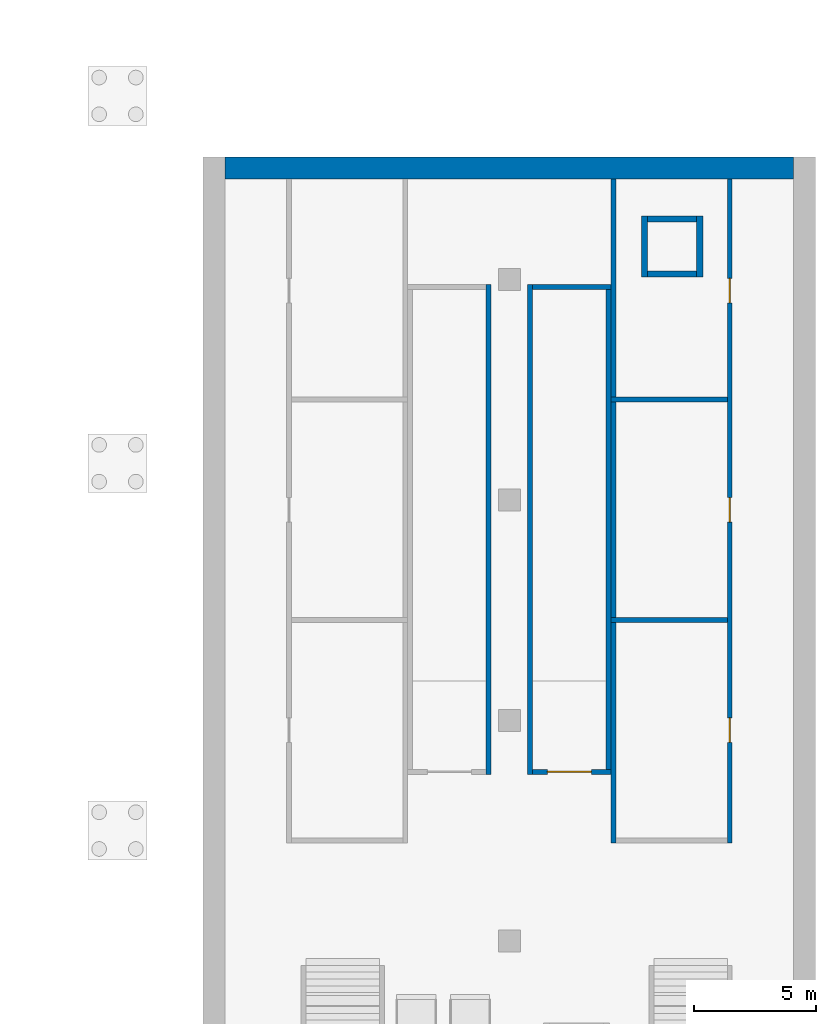
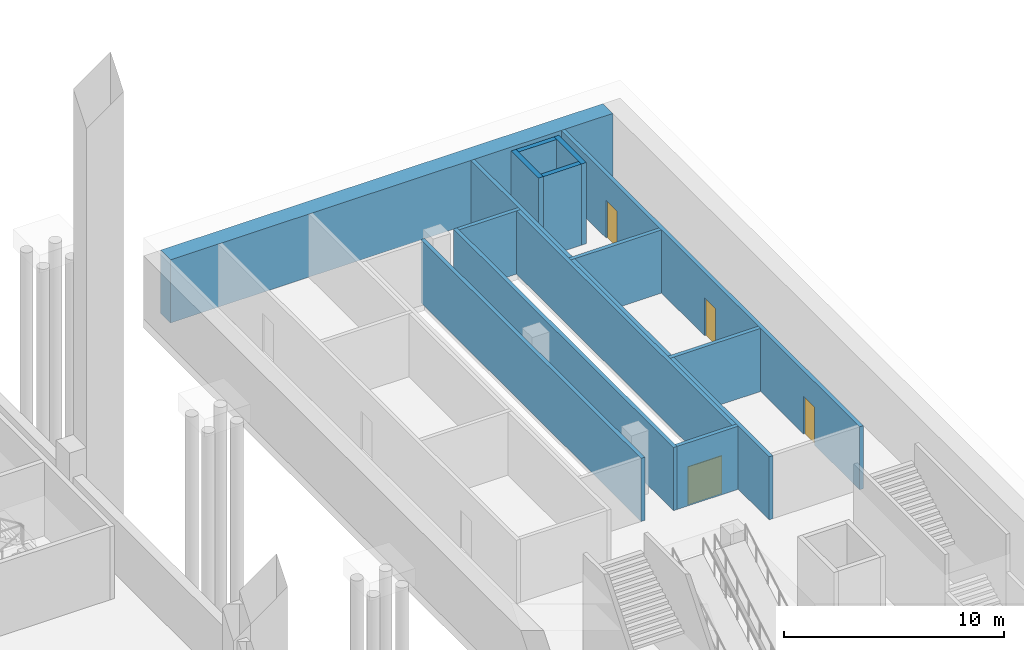
# One storey, part 40 of 115: 14 walls, 4 doors, 4 openings.
"""IFC4 building model written with IfcOpenShell, lengths in metres."""

from ifc_helpers import new_model, si_unit, direction, frame, frame_2d, origin, place, context, subcontext, project, spatial, rectangle, extrude, material, layer, layer_set, type_object, element, fill, save


model = new_model("IFC4")

# Units and contexts
model_context = context("Model", 3, precision=1e-05, world=origin(), true_north=direction((0.0, 1.0)))
body_context = subcontext(model_context, "Body", "Model", "MODEL_VIEW")
ifc_project = project(units=[si_unit("LENGTHUNIT", "METRE"), si_unit("AREAUNIT", "SQUARE_METRE"), si_unit("VOLUMEUNIT", "CUBIC_METRE"), si_unit("PLANEANGLEUNIT", "RADIAN"), si_unit("MASSUNIT", "GRAM", prefix="KILO")], contexts=[model_context])

# Site, building, storey
site_placement = place(None, origin())
site = spatial("IfcSite", under=ifc_project, at=site_placement, CompositionType="ELEMENT")
building_placement = place(site_placement, origin())
building = spatial("IfcBuilding", under=site, at=building_placement, Name="Ogive Plaza Stadium", CompositionType="ELEMENT")
storey_placement = place(building_placement, frame((0.0, 0.0, -4.5)))
storey = spatial("IfcBuildingStorey", under=building, at=storey_placement, Name="B1", CompositionType="ELEMENT", Elevation=-4.5)

# Walls
ifc_material_1 = material(Name="Concrete C35/45", Category="concrete")
ifc_layer_1 = layer(ifc_material_1, 0.89990234375)
ifc_layer_set_1 = layer_set([ifc_layer_1], Name="Concrete C35/45")
wall_type_1 = type_object("IfcWallType", Name="Diaphragm wall 900", PredefinedType="STANDARD", material=ifc_layer_set_1)
wall_1_placement = place(storey_placement, frame((95.89990234375, 49.550048828125, 0.0), z_axis=(0.0, 0.0, 1.0), x_axis=(1.0, 0.0, 0.0)))
element("IfcWall", 1, at=wall_1_placement, inside=storey, type_object=wall_type_1, Name="Diaphragm wall 900 B1 north", PredefinedType="STANDARD", context=body_context, shape_type="SweptSolid", body=[
    extrude(rectangle(XDim=23.2001953125, YDim=0.89990234375, at=frame_2d((11.60009765625, 0.0))), origin(), (0.0, 0.0, 1.0), 3.5),
])
ifc_material_2 = material(Name="Concrete C40/50", Category="concrete")
ifc_layer_2 = layer(ifc_material_2, 0.25)
ifc_layer_set_2 = layer_set([ifc_layer_2], Name="Concrete C40/50")
wall_type_2 = type_object("IfcWallType", Name="Riser shaft wall 250", PredefinedType="SHEAR", material=ifc_layer_set_2)
for number, where, z_axis, x_axis, name in (
    (2, (113.02490234375, 45.10009765625, 0.0), (0.0, 0.0, 1.0), (0.0, 1.0, 0.0), "Riser shaft wall 250 B1 west"),
    (3, (115.27490234375, 45.10009765625, 0.0), (0.0, 0.0, 1.0), (0.0, 1.0, 0.0), "Riser shaft wall 250 B1 east"),
):
    element("IfcWall", number, at=place(storey_placement, frame(where, z_axis=z_axis, x_axis=x_axis)), inside=storey, type_object=wall_type_2, Name=name, PredefinedType="SHEAR", context=body_context, shape_type="SweptSolid", body=[
        extrude(rectangle(XDim=2.5, YDim=0.25, at=frame_2d((1.25, 0.0))), origin(), (0.0, 0.0, 1.0), 4.5),
    ])
for number, where, z_axis, x_axis, name in (
    (4, (113.14990234375, 45.22509765625, 0.0), (0.0, 0.0, 1.0), (1.0, 0.0, 0.0), "Riser shaft wall 250 B1 south"),
    (5, (113.14990234375, 47.47509765625, 0.0), (0.0, 0.0, 1.0), (1.0, 0.0, 0.0), "Riser shaft wall 250 B1 north"),
):
    element("IfcWall", number, at=place(storey_placement, frame(where, z_axis=z_axis, x_axis=x_axis)), inside=storey, type_object=wall_type_2, Name=name, PredefinedType="SHEAR", context=body_context, shape_type="SweptSolid", body=[
        extrude(rectangle(XDim=2.0, YDim=0.25, at=frame_2d((1.0, 0.0))), origin(), (0.0, 0.0, 1.0), 4.5),
    ])

# Wall, openings, doors
ifc_material_3 = material(Name="Masonry blockwork", Category="masonry")
ifc_layer_3 = layer(ifc_material_3, 0.199951171875)
ifc_layer_set_3 = layer_set([ifc_layer_3], Name="Room partition 200")
wall_type_3 = type_object("IfcWallType", Name="Room partition 200", PredefinedType="PARTITIONING", material=ifc_layer_set_3)
wall_2_placement = place(storey_placement, frame((116.5, 22.0, 0.0), z_axis=(0.0, 0.0, 1.0), x_axis=(0.0, 1.0, 0.0)))
wall_2 = element("IfcWall", 6, at=wall_2_placement, inside=storey, type_object=wall_type_3, Name="Room partition 200 B1", PredefinedType="PARTITIONING", context=body_context, shape_type="SweptSolid", body=[
    extrude(rectangle(XDim=27.10009765625, YDim=0.199951171875, at=frame_2d((13.550048828125, 0.0))), origin(), (0.0, 0.0, 1.0), 3.5),
])
opening_1_placement = place(wall_2_placement, frame((22.050048828125, 0.0, 0.0)))
opening_1 = element("IfcOpeningElement", 7, at=opening_1_placement, cuts=wall_2, Name="Opening SD032", PredefinedType="OPENING", context=body_context, shape_type="SweptSolid", body=[
    extrude(rectangle(XDim=1.0, YDim=2.10009765625, at=frame_2d((0.5, 1.050048828125))), frame((0.0, 0.10009765625, 0.0), z_axis=(0.0, -1.0, 0.0), x_axis=(1.0, 0.0, 0.0)), (0.0, 0.0, 1.0), 0.199951171875),
])
opening_2_placement = place(wall_2_placement, frame((13.10009765625, 0.0, 0.0)))
opening_2 = element("IfcOpeningElement", 8, at=opening_2_placement, cuts=wall_2, Name="Opening SD033", PredefinedType="OPENING", context=body_context, shape_type="SweptSolid", body=[
    extrude(rectangle(XDim=1.0, YDim=2.10009765625, at=frame_2d((0.5, 1.050048828125))), frame((0.0, 0.10009765625, 0.0), z_axis=(0.0, -1.0, 0.0), x_axis=(1.0, 0.0, 0.0)), (0.0, 0.0, 1.0), 0.199951171875),
])
opening_3_placement = place(wall_2_placement, frame((4.10009765625, 0.0, 0.0)))
opening_3 = element("IfcOpeningElement", 9, at=opening_3_placement, cuts=wall_2, Name="Opening SD034", PredefinedType="OPENING", context=body_context, shape_type="SweptSolid", body=[
    extrude(rectangle(XDim=1.0, YDim=2.10009765625, at=frame_2d((0.5, 1.050048828125))), frame((0.0, 0.10009765625, 0.0), z_axis=(0.0, -1.0, 0.0), x_axis=(1.0, 0.0, 0.0)), (0.0, 0.0, 1.0), 0.199951171875),
])
ifc_material_4 = material(Name="Steel ASTM A572 Grade 50", Category="steel")
door_type_1 = type_object("IfcDoorType", Name="Fire door FD30S 1000 x 2100", OperationType="SINGLE_SWING_LEFT", PredefinedType="DOOR", material=ifc_material_4)
door_1_placement = place(opening_1_placement, origin())
door_1 = element("IfcDoor", 10, at=door_1_placement, inside=storey, type_object=door_type_1, Name="Door SD032", OperationType="SINGLE_SWING_LEFT", OverallHeight=2.10009765625, OverallWidth=1.0, PredefinedType="DOOR", context=body_context, shape_type="SweptSolid", body=[
    extrude(rectangle(XDim=1.0, YDim=2.10009765625, at=frame_2d((0.5, 1.050048828125))), frame((0.0, 0.02490234375, 0.0), z_axis=(0.0, -1.0, 0.0), x_axis=(1.0, 0.0, 0.0)), (0.0, 0.0, 1.0), 0.050048828125),
])
fill(opening_1, door_1)
door_2_placement = place(opening_2_placement, origin())
door_2 = element("IfcDoor", 11, at=door_2_placement, inside=storey, type_object=door_type_1, Name="Door SD033", OperationType="SINGLE_SWING_LEFT", OverallHeight=2.10009765625, OverallWidth=1.0, PredefinedType="DOOR", context=body_context, shape_type="SweptSolid", body=[
    extrude(rectangle(XDim=1.0, YDim=2.10009765625, at=frame_2d((0.5, 1.050048828125))), frame((0.0, 0.02490234375, 0.0), z_axis=(0.0, -1.0, 0.0), x_axis=(1.0, 0.0, 0.0)), (0.0, 0.0, 1.0), 0.050048828125),
])
fill(opening_2, door_2)
door_3_placement = place(opening_3_placement, origin())
door_3 = element("IfcDoor", 12, at=door_3_placement, inside=storey, type_object=door_type_1, Name="Door SD034", OperationType="SINGLE_SWING_RIGHT", OverallHeight=2.10009765625, OverallWidth=1.0, PredefinedType="DOOR", context=body_context, shape_type="SweptSolid", body=[
    extrude(rectangle(XDim=1.0, YDim=2.10009765625, at=frame_2d((0.5, 1.050048828125))), frame((0.0, 0.02490234375, 0.0), z_axis=(0.0, -1.0, 0.0), x_axis=(1.0, 0.0, 0.0)), (0.0, 0.0, 1.0), 0.050048828125),
])
fill(opening_3, door_3)

# Walls
wall_3_placement = place(storey_placement, frame((111.75, 22.0, 0.0), z_axis=(0.0, 0.0, 1.0), x_axis=(0.0, 1.0, 0.0)))
element("IfcWall", 13, at=wall_3_placement, inside=storey, type_object=wall_type_3, Name="Room partition 200 B1", PredefinedType="PARTITIONING", context=body_context, shape_type="SweptSolid", body=[
    extrude(rectangle(XDim=27.10009765625, YDim=0.199951171875, at=frame_2d((13.550048828125, 0.0))), origin(), (0.0, 0.0, 1.0), 3.5),
])
for number, where, z_axis, x_axis, name in (
    (14, (111.64990234375, 40.10009765625, 0.0), (0.0, 0.0, 1.0), (1.0, 0.0, 0.0), "Room partition 200 B1"),
    (15, (111.64990234375, 31.10009765625, 0.0), (0.0, 0.0, 1.0), (1.0, 0.0, 0.0), "Room partition 200 B1"),
):
    element("IfcWall", number, at=place(storey_placement, frame(where, z_axis=z_axis, x_axis=x_axis)), inside=storey, type_object=wall_type_3, Name=name, PredefinedType="PARTITIONING", context=body_context, shape_type="SweptSolid", body=[
        extrude(rectangle(XDim=4.75, YDim=0.199951171875, at=frame_2d((2.375, 0.0))), origin(), (0.0, 0.0, 1.0), 3.5),
    ])
ifc_material_5 = material(Name="Concrete C40/50", Category="concrete")
ifc_layer_4 = layer(ifc_material_5, 0.199951171875)
ifc_layer_set_4 = layer_set([ifc_layer_4], Name="Concrete C40/50")
wall_type_4 = type_object("IfcWallType", Name="Stair enclosure wall 200", PredefinedType="SHEAR", material=ifc_layer_set_4)
for number, where, z_axis, x_axis, name in (
    (16, (106.64990234375, 24.800048828125, 0.0), (0.0, 0.0, 1.0), (0.0, 1.0, 0.0), "Stair enclosure wall 200 B1 east"),
    (17, (108.35009765625, 24.800048828125, 0.0), (0.0, 0.0, 1.0), (0.0, 1.0, 0.0), "Stair enclosure wall 200 B1 west"),
    (18, (111.550048828125, 24.800048828125, 0.0), (0.0, 0.0, 1.0), (0.0, 1.0, 0.0), "Stair enclosure wall 200 B1 east"),
):
    element("IfcWall", number, at=place(storey_placement, frame(where, z_axis=z_axis, x_axis=x_axis)), inside=storey, type_object=wall_type_4, Name=name, PredefinedType="SHEAR", context=body_context, shape_type="SweptSolid", body=[
        extrude(rectangle(XDim=20.0, YDim=0.199951171875, at=frame_2d((10.0, 0.0))), origin(), (0.0, 0.0, 1.0), 3.5),
    ])

# Wall, opening, door
wall_4_placement = place(storey_placement, frame((108.449951171875, 24.89990234375, 0.0), z_axis=(0.0, 0.0, 1.0), x_axis=(1.0, 0.0, 0.0)))
wall_4 = element("IfcWall", 19, at=wall_4_placement, inside=storey, type_object=wall_type_4, Name="Stair enclosure wall 200 B1 south", PredefinedType="SHEAR", context=body_context, shape_type="SweptSolid", body=[
    extrude(rectangle(XDim=3.199951171875, YDim=0.199951171875, at=frame_2d((1.60009765625, 0.0))), origin(), (0.0, 0.0, 1.0), 3.5),
])
opening_4_placement = place(wall_4_placement, frame((0.60009765625, 0.0, 0.0)))
opening_4 = element("IfcOpeningElement", 20, at=opening_4_placement, cuts=wall_4, Name="Opening SD008", PredefinedType="OPENING", context=body_context, shape_type="SweptSolid", body=[
    extrude(rectangle(XDim=1.800048828125, YDim=2.10009765625, at=frame_2d((0.89990234375, 1.050048828125))), frame((0.0, 0.10009765625, 0.0), z_axis=(0.0, -1.0, 0.0), x_axis=(1.0, 0.0, 0.0)), (0.0, 0.0, 1.0), 0.199951171875),
])
ifc_material_6 = material(Name="Steel fire door set", Category="steel")
door_type_2 = type_object("IfcDoorType", Name="Fire door double FD60 1800 x 2100", OperationType="DOUBLE_DOOR_SINGLE_SWING", PredefinedType="DOOR", material=ifc_material_6)
door_4_placement = place(opening_4_placement, origin())
door_4 = element("IfcDoor", 21, at=door_4_placement, inside=storey, type_object=door_type_2, Name="Door SD008", OperationType="DOUBLE_DOOR_SINGLE_SWING", OverallHeight=2.10009765625, OverallWidth=1.800048828125, PredefinedType="DOOR", context=body_context, shape_type="SweptSolid", body=[
    extrude(rectangle(XDim=1.800048828125, YDim=2.10009765625, at=frame_2d((0.89990234375, 1.050048828125))), frame((0.0, 0.02490234375, 0.0), z_axis=(0.0, -1.0, 0.0), x_axis=(1.0, 0.0, 0.0)), (0.0, 0.0, 1.0), 0.050048828125),
])
fill(opening_4, door_4)

# Wall
wall_5_placement = place(storey_placement, frame((108.449951171875, 44.699951171875, 0.0), z_axis=(0.0, 0.0, 1.0), x_axis=(1.0, 0.0, 0.0)))
element("IfcWall", 22, at=wall_5_placement, inside=storey, type_object=wall_type_4, Name="Stair enclosure wall 200 B1 north", PredefinedType="SHEAR", context=body_context, shape_type="SweptSolid", body=[
    extrude(rectangle(XDim=3.199951171875, YDim=0.199951171875, at=frame_2d((1.60009765625, 0.0))), origin(), (0.0, 0.0, 1.0), 3.5),
])

save(model, "model.ifc")
